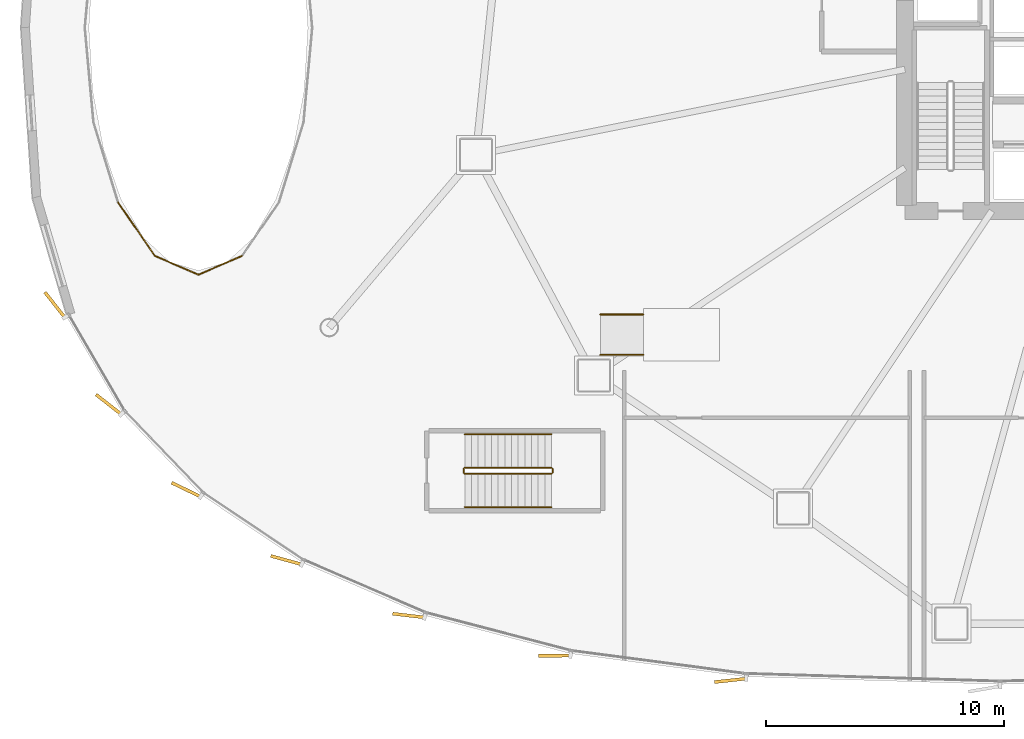
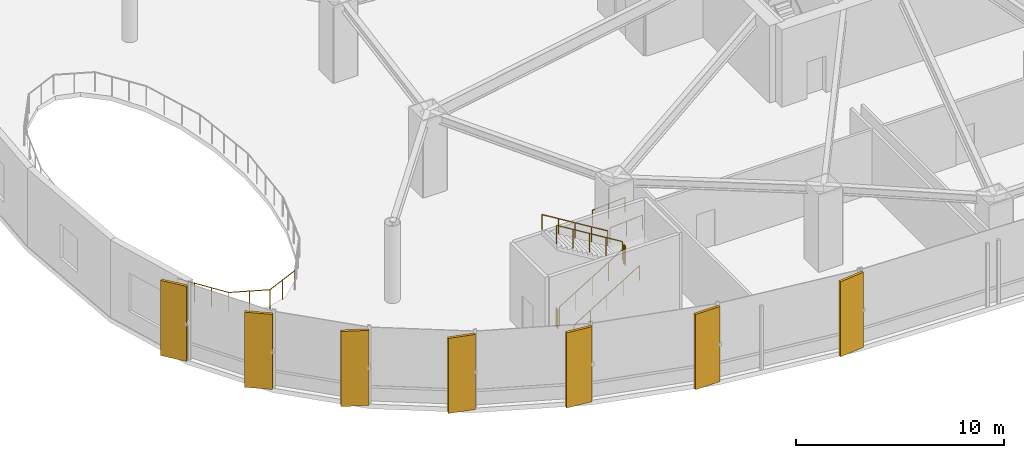
# One storey, part 29 of 34: 11 railings, 7 coverings.
"""IFC4 building model written with IfcOpenShell, lengths in metres."""

from ifc_helpers import new_model, si_unit, direction, frame, origin, origin_2d, place, context, subcontext, project, spatial, rectangle, circle, extrude, source, transform, mapped, material, layer, layer_set, type_object, element, save


model = new_model("IFC4")

# Units and contexts
model_context = context("Model", 3, precision=1e-05, world=origin(), true_north=direction((0.0, 1.0)))
body_context = subcontext(model_context, "Body", "Model", "MODEL_VIEW")
ifc_project = project(units=[si_unit("LENGTHUNIT", "METRE"), si_unit("AREAUNIT", "SQUARE_METRE"), si_unit("VOLUMEUNIT", "CUBIC_METRE"), si_unit("PLANEANGLEUNIT", "RADIAN"), si_unit("MASSUNIT", "GRAM", prefix="KILO"), si_unit("THERMODYNAMICTEMPERATUREUNIT", "KELVIN")], contexts=[model_context])

# Site, building, storey
site_placement = place(None, origin())
site = spatial("IfcSite", under=ifc_project, at=site_placement, CompositionType="ELEMENT")
building_placement = place(site_placement, origin())
building = spatial("IfcBuilding", under=site, at=building_placement, Name="Kethvar Cultural Tower", CompositionType="ELEMENT")
storey_placement = place(building_placement, frame((0.0, 0.0, 14.800048828125)))
storey = spatial("IfcBuildingStorey", under=building, at=storey_placement, Name="L03", CompositionType="ELEMENT", Elevation=14.800048828125)

# Railings
ifc_material_1 = material(Name="Steel S355J2", Category="steel")
railing_type_1 = type_object("IfcRailingType", Name="RL-INT-ATRIUM-1150", PredefinedType="BALUSTRADE", material=ifc_material_1)
railing_1_placement = place(storey_placement, frame((4.919921875, 20.460205078125, 0.0)))
element("IfcRailing", 1, at=railing_1_placement, inside=storey, type_object=railing_type_1, Name="L03 Atrium Void Balustrade 11", PredefinedType="BALUSTRADE", context=body_context, shape_type="SweptSolid", body=[
    extrude(circle(Radius=0.02392578125, at=origin_2d()), frame((0.0, 0.0, 1.1259765625), z_axis=(0.567499103601, -0.823374014293, 0.0), x_axis=(0.823374014293, 0.567499103601, 0.0)), (0.0, 0.0, 1.0), 2.732666015625),
    extrude(circle(Radius=0.02099609375, at=origin_2d()), origin(), (0.0, 0.0, 1.0), 1.101806640625),
    extrude(circle(Radius=0.02099609375, at=origin_2d()), frame((0.516845703125, -0.75, 0.0)), (0.0, 0.0, 1.0), 1.101806640625),
    extrude(circle(Radius=0.02099609375, at=origin_2d()), frame((1.033935546875, -1.5, 0.0)), (0.0, 0.0, 1.0), 1.101806640625),
    extrude(circle(Radius=0.02099609375, at=origin_2d()), frame((1.55078125, -2.25, 0.0)), (0.0, 0.0, 1.0), 1.101806640625),
])
railing_2_placement = place(storey_placement, frame((6.470703125, 18.210205078125, 0.0)))
element("IfcRailing", 2, at=railing_2_placement, inside=storey, type_object=railing_type_1, Name="L03 Atrium Void Balustrade 12", PredefinedType="BALUSTRADE", context=body_context, shape_type="SweptSolid", body=[
    extrude(circle(Radius=0.02392578125, at=origin_2d()), frame((0.0, 0.0, 1.1259765625), z_axis=(0.918000525131, -0.396579167203, 0.0), x_axis=(0.396579167203, 0.918000525131, 0.0)), (0.0, 0.0, 1.0), 1.99267578125),
    extrude(circle(Radius=0.02099609375, at=origin_2d()), origin(), (0.0, 0.0, 1.0), 1.101806640625),
    extrude(circle(Radius=0.02099609375, at=origin_2d()), frame((0.91455078125, -0.39501953125, 0.0)), (0.0, 0.0, 1.0), 1.101806640625),
    extrude(circle(Radius=0.02099609375, at=origin_2d()), frame((1.829345703125, -0.790283203125, 0.0)), (0.0, 0.0, 1.0), 1.101806640625),
])
railing_3_placement = place(storey_placement, frame((8.300048828125, 17.419921875, 0.0)))
element("IfcRailing", 3, at=railing_3_placement, inside=storey, type_object=railing_type_1, Name="L03 Atrium Void Balustrade 13", PredefinedType="BALUSTRADE", context=body_context, shape_type="SweptSolid", body=[
    extrude(circle(Radius=0.02392578125, at=origin_2d()), frame((0.0, 0.0, 1.1259765625), z_axis=(0.917981253421, 0.396623774336, 0.0), x_axis=(-0.396623774336, 0.917981253421, 0.0)), (0.0, 0.0, 1.0), 1.992431640625),
    extrude(circle(Radius=0.02099609375, at=origin_2d()), origin(), (0.0, 0.0, 1.0), 1.101806640625),
    extrude(circle(Radius=0.02099609375, at=origin_2d()), frame((0.91455078125, 0.39501953125, 0.0)), (0.0, 0.0, 1.0), 1.101806640625),
    extrude(circle(Radius=0.02099609375, at=origin_2d()), frame((1.8291015625, 0.790283203125, 0.0)), (0.0, 0.0, 1.0), 1.101806640625),
])
railing_type_2 = type_object("IfcRailingType", Name="RL-STAIR-GUARD", PredefinedType="BALUSTRADE", material=ifc_material_1)
railing_4_placement = place(storey_placement, frame((19.5, 9.050048828125, 0.17138671875)))
element("IfcRailing", 4, at=railing_4_placement, inside=storey, type_object=railing_type_2, Name="L03 ST-04 stair guard 1", PredefinedType="BALUSTRADE", context=body_context, shape_type="SweptSolid", body=[
    extrude(circle(Radius=0.02392578125, at=origin_2d()), frame((0.0, 0.0, 1.09619140625), z_axis=(0.852850264322, 0.0, 0.5221555579), x_axis=(0.0, 1.0, 0.0)), (0.0, 0.0, 1.0), 4.267822265625),
    extrude(circle(Radius=0.02099609375, at=origin_2d()), origin(), (0.0, 0.0, 1.0), 1.072021484375),
    extrude(circle(Radius=0.02099609375, at=origin_2d()), frame((0.909912109375, 0.0, 0.55712890625)), (0.0, 0.0, 1.0), 1.072021484375),
    extrude(circle(Radius=0.02099609375, at=origin_2d()), frame((1.81982421875, 0.0, 1.1142578125)), (0.0, 0.0, 1.0), 1.072021484375),
    extrude(circle(Radius=0.02099609375, at=origin_2d()), frame((2.72998046875, 0.0, 1.67138671875)), (0.0, 0.0, 1.0), 1.072021484375),
    extrude(circle(Radius=0.02099609375, at=origin_2d()), frame((3.639892578125, 0.0, 2.228515625)), (0.0, 0.0, 1.0), 1.072021484375),
])
railing_5_placement = place(storey_placement, frame((23.18994140625, 9.10009765625, 2.39990234375)))
element("IfcRailing", 5, at=railing_5_placement, inside=storey, type_object=railing_type_2, Name="L03 ST-04 stair guard 2", PredefinedType="BALUSTRADE", context=body_context, shape_type="SweptSolid", body=[
    extrude(circle(Radius=0.02392578125, at=origin_2d()), frame((0.0, 0.0, 1.09619140625), z_axis=(0.0, 1.0, 0.0), x_axis=(-1.0, 0.0, 0.0)), (0.0, 0.0, 1.0), 0.159912109375),
    extrude(circle(Radius=0.02099609375, at=origin_2d()), origin(), (0.0, 0.0, 1.0), 1.072021484375),
    extrude(circle(Radius=0.02099609375, at=origin_2d()), frame((0.0, 0.159912109375, 0.0)), (0.0, 0.0, 1.0), 1.072021484375),
])
railing_6_placement = place(storey_placement, frame((23.139892578125, 9.31005859375, 2.5712890625)))
element("IfcRailing", 6, at=railing_6_placement, inside=storey, type_object=railing_type_2, Name="L03 ST-04 stair guard 3", PredefinedType="BALUSTRADE", context=body_context, shape_type="SweptSolid", body=[
    extrude(circle(Radius=0.02392578125, at=origin_2d()), frame((0.0, 0.0, 1.09619140625), z_axis=(-0.852824790078, 0.0, 0.522197163366), x_axis=(0.0, -1.0, 0.0)), (0.0, 0.0, 1.0), 4.26806640625),
    extrude(circle(Radius=0.02099609375, at=origin_2d()), origin(), (0.0, 0.0, 1.0), 1.072021484375),
    extrude(circle(Radius=0.02099609375, at=origin_2d()), frame((-0.909912109375, 0.0, 0.55712890625)), (0.0, 0.0, 1.0), 1.072021484375),
    extrude(circle(Radius=0.02099609375, at=origin_2d()), frame((-1.81982421875, 0.0, 1.1142578125)), (0.0, 0.0, 1.0), 1.072021484375),
    extrude(circle(Radius=0.02099609375, at=origin_2d()), frame((-2.72998046875, 0.0, 1.671630859375)), (0.0, 0.0, 1.0), 1.072021484375),
    extrude(circle(Radius=0.02099609375, at=origin_2d()), frame((-3.639892578125, 0.0, 2.228759765625)), (0.0, 0.0, 1.0), 1.072021484375),
])
railing_7_placement = place(storey_placement, frame((19.449951171875, 9.10009765625, 0.0)))
element("IfcRailing", 7, at=railing_7_placement, inside=storey, type_object=railing_type_2, Name="L03 ST-04 stair guard 4", PredefinedType="BALUSTRADE", context=body_context, shape_type="SweptSolid", body=[
    extrude(circle(Radius=0.02392578125, at=origin_2d()), frame((0.0, 0.0, 1.09619140625), z_axis=(0.0, 1.0, 0.0), x_axis=(-1.0, 0.0, 0.0)), (0.0, 0.0, 1.0), 0.159912109375),
    extrude(circle(Radius=0.02099609375, at=origin_2d()), origin(), (0.0, 0.0, 1.0), 1.072021484375),
    extrude(circle(Radius=0.02099609375, at=origin_2d()), frame((0.0, 0.159912109375, 0.0)), (0.0, 0.0, 1.0), 1.072021484375),
])
railing_type_3 = type_object("IfcRailingType", Name="RL-STAIR-HANDRAIL", PredefinedType="HANDRAIL", material=ifc_material_1)
railing_8_placement = place(storey_placement, frame((19.5, 7.64990234375, 0.17138671875)))
element("IfcRailing", 8, at=railing_8_placement, inside=storey, type_object=railing_type_3, Name="L03 ST-04 stair handrail 1", PredefinedType="HANDRAIL", context=body_context, shape_type="SweptSolid", body=[
    extrude(circle(Radius=0.02392578125, at=origin_2d()), frame((0.0, 0.0, 0.8759765625), z_axis=(0.852850264322, 0.0, 0.5221555579), x_axis=(0.0, 1.0, 0.0)), (0.0, 0.0, 1.0), 4.267822265625),
    extrude(circle(Radius=0.02099609375, at=origin_2d()), origin(), (0.0, 0.0, 1.0), 0.851806640625),
    extrude(circle(Radius=0.02099609375, at=origin_2d()), frame((0.909912109375, 0.0, 0.55712890625)), (0.0, 0.0, 1.0), 0.851806640625),
    extrude(circle(Radius=0.02099609375, at=origin_2d()), frame((1.81982421875, 0.0, 1.1142578125)), (0.0, 0.0, 1.0), 0.851806640625),
    extrude(circle(Radius=0.02099609375, at=origin_2d()), frame((2.72998046875, 0.0, 1.67138671875)), (0.0, 0.0, 1.0), 0.851806640625),
    extrude(circle(Radius=0.02099609375, at=origin_2d()), frame((3.639892578125, 0.0, 2.228515625)), (0.0, 0.0, 1.0), 0.851806640625),
])
railing_9_placement = place(storey_placement, frame((23.139892578125, 10.7099609375, 2.5712890625)))
element("IfcRailing", 9, at=railing_9_placement, inside=storey, type_object=railing_type_3, Name="L03 ST-04 stair handrail 2", PredefinedType="HANDRAIL", context=body_context, shape_type="SweptSolid", body=[
    extrude(circle(Radius=0.02392578125, at=origin_2d()), frame((0.0, 0.0, 0.8759765625), z_axis=(-0.852824790078, 0.0, 0.522197163366), x_axis=(0.0, -1.0, 0.0)), (0.0, 0.0, 1.0), 4.26806640625),
    extrude(circle(Radius=0.02099609375, at=origin_2d()), origin(), (0.0, 0.0, 1.0), 0.851806640625),
    extrude(circle(Radius=0.02099609375, at=origin_2d()), frame((-0.909912109375, 0.0, 0.55712890625)), (0.0, 0.0, 1.0), 0.851806640625),
    extrude(circle(Radius=0.02099609375, at=origin_2d()), frame((-1.81982421875, 0.0, 1.1142578125)), (0.0, 0.0, 1.0), 0.851806640625),
    extrude(circle(Radius=0.02099609375, at=origin_2d()), frame((-2.72998046875, 0.0, 1.671630859375)), (0.0, 0.0, 1.0), 0.851806640625),
    extrude(circle(Radius=0.02099609375, at=origin_2d()), frame((-3.639892578125, 0.0, 2.228759765625)), (0.0, 0.0, 1.0), 0.851806640625),
])
for number, where, name in (
    (10, (25.199951171875, 14.050048828125, 0.0), "L03 Accessible Ramp Handrail S"),
    (11, (25.199951171875, 15.75, 0.0), "L03 Accessible Ramp Handrail N"),
):
    element("IfcRailing", number, at=place(storey_placement, frame(where)), inside=storey, type_object=railing_type_3, Name=name, PredefinedType="HANDRAIL", context=body_context, shape_type="SweptSolid", body=[
        extrude(circle(Radius=0.02392578125, at=origin_2d()), frame((0.0, 0.0, 0.8759765625), z_axis=(0.997789945721, 0.0, 0.06644715358), x_axis=(0.0, 1.0, 0.0)), (0.0, 0.0, 1.0), 1.803955078125),
        extrude(circle(Radius=0.02099609375, at=origin_2d()), origin(), (0.0, 0.0, 1.0), 0.851806640625),
        extrude(circle(Radius=0.02099609375, at=origin_2d()), frame((0.89990234375, 0.0, 0.06005859375)), (0.0, 0.0, 1.0), 0.851806640625),
        extrude(circle(Radius=0.02099609375, at=origin_2d()), frame((1.800048828125, 0.0, 0.119873046875)), (0.0, 0.0, 1.0), 0.851806640625),
    ])

# Coverings
ifc_material_2 = material(Name="Extruded Architectural Terracotta", Category="masonry")
ifc_layer = layer(ifc_material_2, 0.135009765625, Name="Extruded Architectural Terracotta", Category="masonry")
ifc_layer_set = layer_set([ifc_layer], Name="Extruded Architectural Terracotta (135 mm)")
covering_type = type_object("IfcCoveringType", Name="Terracotta Facade Fin FIN-04", PredefinedType="CLADDING", material=ifc_layer_set)
shared_shape = source(origin(), body_context, "Body", "SweptSolid", [
    extrude(rectangle(XDim=1.35009765625, YDim=0.135009765625, at=origin_2d()), origin(), (0.0, 0.0, 1.0), 4.39990234375),
])
for number, where, z_axis, x_axis, name in (
    (12, (2.2626953125, 16.156005859375, 0.02001953125), (0.0, 0.0, 1.0), (-0.618819784276, 0.785532987588, 0.0), "L03 Vertical Terracotta Fin 4.1"),
    (13, (4.526611328125, 11.96728515625, 0.02001953125), (0.0, 0.0, 1.0), (-0.786935021961, 0.617035875141, 0.0), "L03 Vertical Terracotta Fin 4.2"),
    (14, (7.784912109375, 8.381591796875, 0.02001953125), (0.0, 0.0, 1.0), (-0.900166792241, 0.435545343388, 0.0), "L03 Vertical Terracotta Fin 4.3"),
    (15, (11.990966796875, 5.421142578125, 0.02001953125), (0.0, 0.0, 1.0), (-0.964326778534, 0.264714684522, 0.0), "L03 Vertical Terracotta Fin 4.4"),
    (16, (17.135986328125, 3.091796875, 0.02001953125), (0.0, 0.0, 1.0), (-0.993251859042, 0.115977344809, 0.0), "L03 Vertical Terracotta Fin 4.5"),
    (17, (23.2646484375, 1.404296875, 0.02001953125), (0.0, 0.0, 1.0), (-0.999963430902, -0.008552009087, 0.0), "L03 Vertical Terracotta Fin 4.6"),
    (18, (30.659423828125, 0.367919921875, 0.02001953125), (0.0, 0.0, 1.0), (-0.994018275953, -0.109213859333, 0.0), "L03 Vertical Terracotta Fin 5.1"),
):
    element("IfcCovering", number, at=place(storey_placement, frame(where, z_axis=z_axis, x_axis=x_axis)), inside=storey, type_object=covering_type, Name=name, PredefinedType="CLADDING", context=body_context, shape_type="MappedRepresentation", body=[
        mapped(shared_shape, transform((0.0, 0.0, 0.0), scale=1.0)),
    ])

save(model, "model.ifc")
